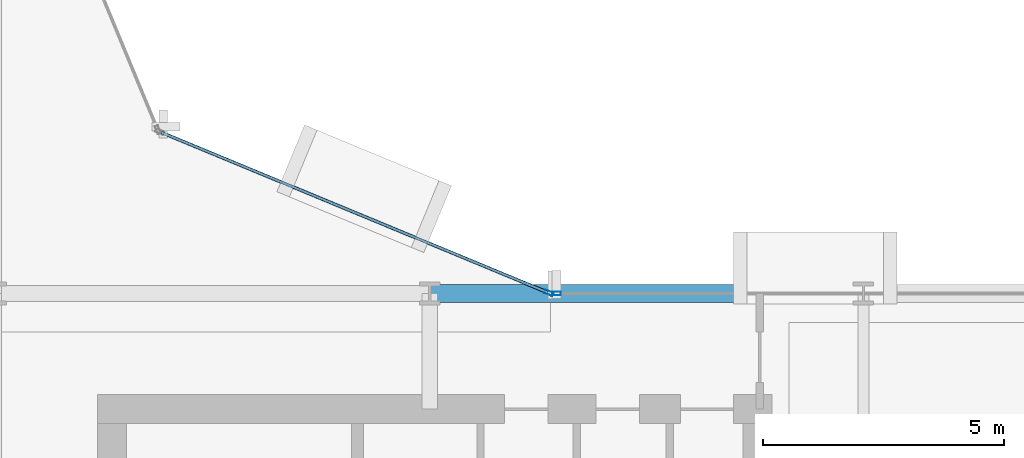
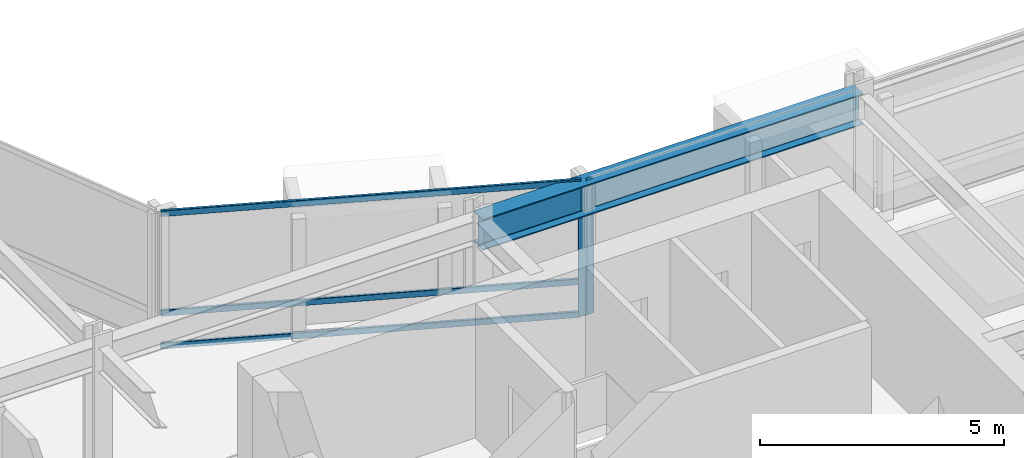
# One storey, part 16 of 35: 5 members, 1 beam, 2 elements without a shape of their own.
"""IFC4 building model written with IfcOpenShell, lengths in metres."""

from ifc_helpers import new_model, si_unit, direction, frame, origin, origin_2d, place, context, subcontext, project, spatial, hollow_rectangle, i_section, extrude, material, layer, layer_set, material_profile, profile_set, type_object, element, aggregate, save


model = new_model("IFC4")

# Units and contexts
model_context = context("Model", 3, precision=1e-05, world=origin(), true_north=direction((0.0, 1.0)))
body_context = subcontext(model_context, "Body", "Model", "MODEL_VIEW")
ifc_project = project(units=[si_unit("LENGTHUNIT", "METRE"), si_unit("AREAUNIT", "SQUARE_METRE"), si_unit("VOLUMEUNIT", "CUBIC_METRE"), si_unit("PLANEANGLEUNIT", "RADIAN"), si_unit("MASSUNIT", "GRAM", prefix="KILO")], contexts=[model_context])

# Site, building, storey
site_placement = place(None, origin())
site = spatial("IfcSite", under=ifc_project, at=site_placement, CompositionType="ELEMENT")
building_placement = place(site_placement, origin())
building = spatial("IfcBuilding", under=site, at=building_placement, Name="Solvaryn Broadcast Tower", CompositionType="ELEMENT")
storey_placement = place(building_placement, frame((0.0, 0.0, 80.39990234375)))
storey = spatial("IfcBuildingStorey", under=building, at=storey_placement, Name="L19", CompositionType="ELEMENT", Elevation=80.39990234375)

# Beam
ifc_material_1 = material(Name="Steel ASTM A992 Grade 50", Category="steel")
ifc_material_profile_1 = material_profile(ifc_material_1, i_section(OverallWidth=0.381103515625, OverallDepth=0.77294921875, WebThickness=0.0166015625, FlangeThickness=0.027099609375, FilletRadius=0.01806640625, at=origin_2d()))
ifc_profile_set_1 = profile_set([ifc_material_profile_1], Name="Steel ASTM A992 Grade 50")
beam_type = type_object("IfcBeamType", Name="BM-SP1-W30X173", PredefinedType="USERDEFINED", material=ifc_profile_set_1)
beam_placement = place(storey_placement, frame((36.0, 27.0, 2.983642578125), z_axis=(1.0, 0.0, 0.0), x_axis=(0.0, 1.0, 0.0)))
element("IfcBeam", 1, at=beam_placement, inside=storey, type_object=beam_type, Name="L19 Spandrel Beam X (36-45 @ Y=27)", ObjectType="SPANDREL", PredefinedType="USERDEFINED", context=body_context, shape_type="SweptSolid", body=[
    extrude(i_section(OverallWidth=0.381103515625, OverallDepth=0.77294921875, WebThickness=0.0166015625, FlangeThickness=0.027099609375, FilletRadius=0.01806640625, at=origin_2d()), origin(), (0.0, 0.0, 1.0), 9.0),
])

# Curtain wall, member
ifc_material_2 = material(Name="Aluminium and Terracotta Unitised Curtain Wall", Category="masonry")
ifc_layer = layer(ifc_material_2, 0.199951171875)
ifc_layer_set = layer_set([ifc_layer], Name="CW-SYS2-LOWMID")
curtain_wall_type = type_object("IfcCurtainWallType", Name="CW-SYS2-LOWMID", PredefinedType="NOTDEFINED", material=ifc_layer_set)
curtain_wall_1_placement = place(storey_placement, origin())
curtain_wall_1 = element("IfcCurtainWall", 2, at=curtain_wall_1_placement, inside=storey, type_object=curtain_wall_type, Name="L19 Curtain Wall CN1", PredefinedType="NOTDEFINED")
ifc_material_3 = material(Name="Anodised Aluminium 6063-T6", Category="aluminium")
ifc_material_profile_2 = material_profile(ifc_material_3, hollow_rectangle(XDim=0.074951171875, YDim=0.179931640625, WallThickness=0.00390625, InnerFilletRadius=0.00390625, OuterFilletRadius=0.008056640625, at=origin_2d()))
ifc_profile_set_2 = profile_set([ifc_material_profile_2], Name="Anodised Aluminium 6063-T6")
member_type_1 = type_object("IfcMemberType", Name="CW-MUL-180", PredefinedType="MULLION", material=ifc_profile_set_2)
member_1_placement = place(storey_placement, frame((38.47216796875, 27.011474609375, 0.0), z_axis=(0.0, 0.0, 1.0), x_axis=(-0.382646127145, -0.923894983957, 0.0)))
member_1 = element("IfcMember", 3, at=member_1_placement, type_object=member_type_1, Name="CWS2 mullion 1", PredefinedType="MULLION", context=body_context, shape_type="SweptSolid", body=[
    extrude(hollow_rectangle(XDim=0.074951171875, YDim=0.179931640625, WallThickness=0.00390625, InnerFilletRadius=0.00390625, OuterFilletRadius=0.008056640625, at=origin_2d()), origin(), (0.0, 0.0, 1.0), 3.3701171875),
])

curtain_wall_2_placement = place(storey_placement, origin())
curtain_wall_2 = element("IfcCurtainWall", 4, at=curtain_wall_2_placement, inside=storey, type_object=curtain_wall_type, Name="L19 Curtain Wall IH", PredefinedType="NOTDEFINED")
member_2_placement = place(storey_placement, frame((38.6298828125, 27.0, 0.0), z_axis=(0.0, 0.0, 1.0), x_axis=(0.0, 1.0, 0.0)))
member_2 = element("IfcMember", 5, at=member_2_placement, type_object=member_type_1, Name="CWS2 mullion 1", PredefinedType="MULLION", context=body_context, shape_type="SweptSolid", body=[
    extrude(hollow_rectangle(XDim=0.074951171875, YDim=0.179931640625, WallThickness=0.00390625, InnerFilletRadius=0.00390625, OuterFilletRadius=0.008056640625, at=origin_2d()), origin(), (0.0, 0.0, 1.0), 3.3701171875),
])
aggregate(curtain_wall_2, [member_2])

# Member
ifc_material_4 = material(Name="Anodised Aluminium 6063-T6", Category="aluminium")
ifc_material_profile_3 = material_profile(ifc_material_4, hollow_rectangle(XDim=0.06494140625, YDim=0.14990234375, WallThickness=0.00390625, InnerFilletRadius=0.00390625, OuterFilletRadius=0.008056640625, at=origin_2d()))
ifc_profile_set_3 = profile_set([ifc_material_profile_3], Name="Anodised Aluminium 6063-T6")
member_type_2 = type_object("IfcMemberType", Name="CW-TRN-150", PredefinedType="USERDEFINED", material=ifc_profile_set_3)
member_3_placement = place(storey_placement, frame((38.444580078125, 27.02294921875, 0.030029296875), z_axis=(-0.923899282177, 0.382635748975, 0.0), x_axis=(-0.382635748975, -0.923899282177, 0.0)))
member_3 = element("IfcMember", 6, at=member_3_placement, type_object=member_type_2, Name="CWS2 transom 1.1", ObjectType="TRANSOM", PredefinedType="USERDEFINED", context=body_context, shape_type="SweptSolid", body=[
    extrude(hollow_rectangle(XDim=0.06494140625, YDim=0.14990234375, WallThickness=0.00390625, InnerFilletRadius=0.00390625, OuterFilletRadius=0.008056640625, at=origin_2d()), origin(), (0.0, 0.0, 1.0), 8.681884765625),
])

member_4_placement = place(storey_placement, frame((38.444580078125, 27.02294921875, 0.85009765625), z_axis=(-0.923899282177, 0.382635748975, 0.0), x_axis=(-0.382635748975, -0.923899282177, 0.0)))
member_4 = element("IfcMember", 7, at=member_4_placement, type_object=member_type_2, Name="CWS2 transom 1.2", ObjectType="TRANSOM", PredefinedType="USERDEFINED", context=body_context, shape_type="SweptSolid", body=[
    extrude(hollow_rectangle(XDim=0.06494140625, YDim=0.14990234375, WallThickness=0.00390625, InnerFilletRadius=0.00390625, OuterFilletRadius=0.008056640625, at=origin_2d()), origin(), (0.0, 0.0, 1.0), 8.681884765625),
])

member_5_placement = place(storey_placement, frame((38.444580078125, 27.02294921875, 3.340087890625), z_axis=(-0.923899282177, 0.382635748975, 0.0), x_axis=(-0.382635748975, -0.923899282177, 0.0)))
member_5 = element("IfcMember", 8, at=member_5_placement, type_object=member_type_2, Name="CWS2 transom 1.3", ObjectType="TRANSOM", PredefinedType="USERDEFINED", context=body_context, shape_type="SweptSolid", body=[
    extrude(hollow_rectangle(XDim=0.06494140625, YDim=0.14990234375, WallThickness=0.00390625, InnerFilletRadius=0.00390625, OuterFilletRadius=0.008056640625, at=origin_2d()), origin(), (0.0, 0.0, 1.0), 8.681884765625),
])

aggregate(curtain_wall_1, [member_1, member_3, member_4, member_5])

save(model, "model.ifc")
